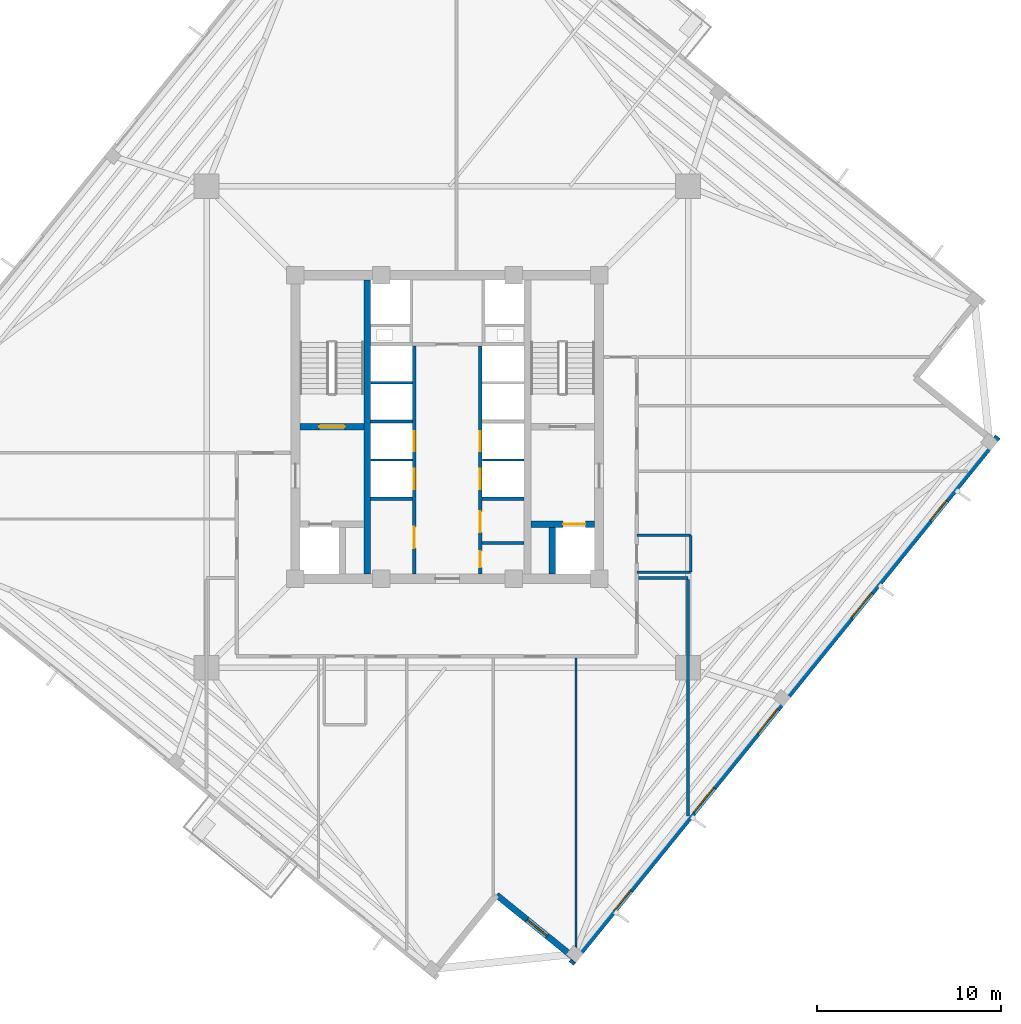
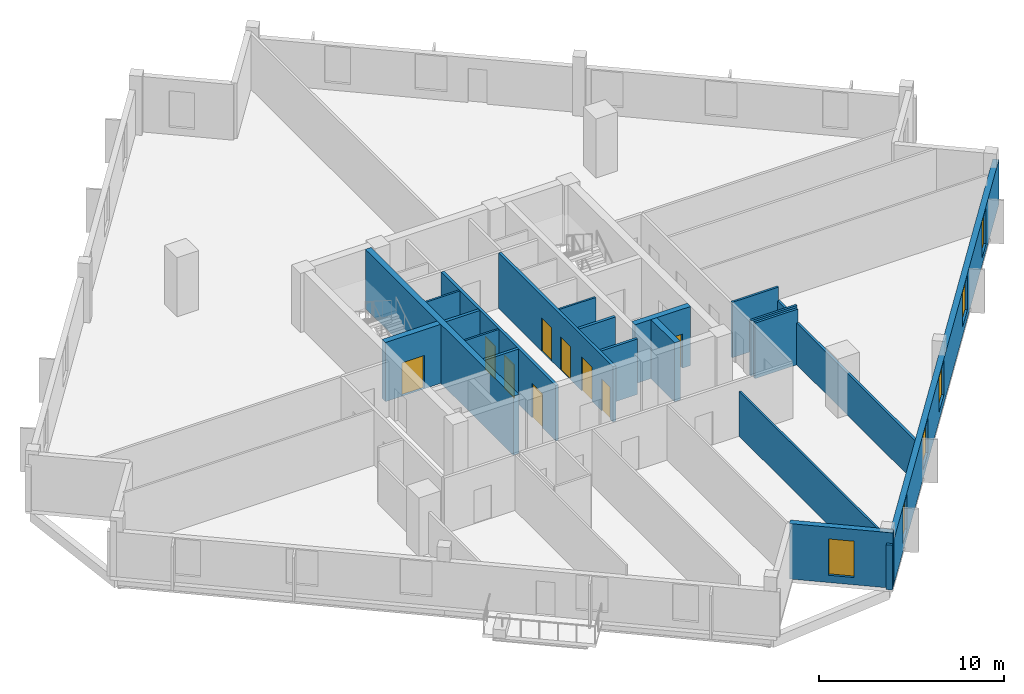
# One storey, part 4 of 10: 21 walls, 9 doors, 6 windows, 15 openings.
"""IFC4 building model written with IfcOpenShell, lengths in metres."""

from ifc_helpers import new_model, si_unit, direction, frame, frame_2d, origin, place, context, subcontext, project, spatial, rectangle, extrude, source, transform, mapped, material, layer, layer_set, type_object, element, fill, save


model = new_model("IFC4")

# Units and contexts
model_context = context("Model", 3, precision=1e-05, world=origin(), true_north=direction((0.0, 1.0)))
body_context = subcontext(model_context, "Body", "Model", "MODEL_VIEW")
ifc_project = project(units=[si_unit("LENGTHUNIT", "METRE"), si_unit("AREAUNIT", "SQUARE_METRE"), si_unit("VOLUMEUNIT", "CUBIC_METRE"), si_unit("PLANEANGLEUNIT", "RADIAN"), si_unit("MASSUNIT", "GRAM", prefix="KILO"), si_unit("THERMODYNAMICTEMPERATUREUNIT", "KELVIN")], contexts=[model_context])

# Site, building, storey
site_placement = place(None, origin())
site = spatial("IfcSite", under=ifc_project, at=site_placement, CompositionType="ELEMENT")
building_placement = place(site_placement, origin())
building = spatial("IfcBuilding", under=site, at=building_placement, Name="Kosmvard Interchange Tower", CompositionType="ELEMENT")
storey_placement = place(building_placement, frame((0.0, 0.0, 205.60009765625)))
storey = spatial("IfcBuildingStorey", under=building, at=storey_placement, Name="L49", CompositionType="ELEMENT", Elevation=205.60009765625)

# Walls
ifc_material_1 = material(Name="Acoustic gypsum partition system")
ifc_layer_1 = layer(ifc_material_1, 0.14990234375, Name="Acoustic gypsum partition system")
ifc_layer_set_1 = layer_set([ifc_layer_1], Name="Acoustic gypsum partition system")
wall_type_1 = type_object("IfcWallType", Name="Acoustic Suite & Meeting Partition 150", PredefinedType="PARTITIONING", material=ifc_layer_set_1)
wall_1_placement = place(storey_placement, frame((10.39501953125, -8.199951171875, 0.0), z_axis=(0.0, 0.0, 1.0), x_axis=(1.0, 0.0, 0.0)))
element("IfcWall", 1, at=wall_1_placement, inside=storey, type_object=wall_type_1, Name="L49 Room Partition 12.1", PredefinedType="PARTITIONING", context=body_context, shape_type="SweptSolid", body=[
    extrude(rectangle(XDim=2.68603515625, YDim=0.14990234375, at=frame_2d((1.343017578125, 0.0))), origin(), (0.0, 0.0, 1.0), 3.659912109375),
])
wall_2_placement = place(storey_placement, frame((13.0810546875, -8.27490234375, 0.0), z_axis=(0.0, 0.0, 1.0), x_axis=(0.0, -1.0, 0.0)))
element("IfcWall", 2, at=wall_2_placement, inside=storey, type_object=wall_type_1, Name="L49 Room Partition 13.1", PredefinedType="PARTITIONING", context=body_context, shape_type="SweptSolid", body=[
    extrude(rectangle(XDim=12.87353515625, YDim=0.14990234375, at=frame_2d((6.436767578125, 0.0))), origin(), (0.0, 0.0, 1.0), 2.760009765625),
])
ifc_material_2 = material(Name="Fire-rated gypsum partition system")
ifc_layer_2 = layer(ifc_material_2, 0.159912109375, Name="Fire-rated gypsum partition system")
ifc_layer_set_2 = layer_set([ifc_layer_2], Name="Fire-rated gypsum partition system")
wall_type_2 = type_object("IfcWallType", Name="Core Compartment & Shuttle Lobby Partition 160", PredefinedType="PARTITIONING", material=ifc_layer_set_2)
wall_3_placement = place(storey_placement, frame((1.889892578125, -6.300048828125, 0.0), z_axis=(0.0, 0.0, 1.0), x_axis=(1.0, 0.0, 0.0)))
element("IfcWall", 3, at=wall_3_placement, inside=storey, type_object=wall_type_2, Name="L49 Reclaimed Split E", PredefinedType="PARTITIONING", context=body_context, shape_type="SweptSolid", body=[
    extrude(rectangle(XDim=2.280029296875, YDim=0.159912109375, at=frame_2d((1.14013671875, 0.0))), origin(), (0.0, 0.0, 1.0), 3.659912109375),
])

# Wall, openings, doors
ifc_layer_3 = layer(ifc_material_2, 0.179931640625, Name="Fire-rated gypsum partition system")
ifc_layer_set_3 = layer_set([ifc_layer_3], Name="Fire-rated gypsum partition system")
wall_type_3 = type_object("IfcWallType", Name="Corridor & Hotel Compartment Partition 180", PredefinedType="PARTITIONING", material=ifc_layer_set_3)
wall_4_placement = place(storey_placement, frame((-1.7900390625, -7.97998046875, 0.0), z_axis=(0.0, 0.0, 1.0), x_axis=(0.0, 1.0, 0.0)))
wall_4 = element("IfcWall", 4, at=wall_4_placement, inside=storey, type_object=wall_type_3, Name="L49 West Lift Bank Front Wall", PredefinedType="PARTITIONING", context=body_context, shape_type="SweptSolid", body=[
    extrude(rectangle(XDim=12.3798828125, YDim=0.179931640625, at=frame_2d((6.18994140625, 0.0))), origin(), (0.0, 0.0, 1.0), 3.659912109375),
])
opening_1_placement = place(wall_4_placement, frame((4.60009765625, 0.0, 0.0)))
opening_1 = element("IfcOpeningElement", 5, at=opening_1_placement, cuts=wall_4, Name="Opening LD-PL-M1-L49", PredefinedType="OPENING", context=body_context, shape_type="SweptSolid", body=[
    extrude(rectangle(XDim=1.10009765625, YDim=2.199951171875, at=frame_2d((0.550048828125, 1.10009765625))), frame((0.0, 0.10009765625, 0.0), z_axis=(0.0, -1.0, 0.0), x_axis=(1.0, 0.0, 0.0)), (0.0, 0.0, 1.0), 0.199951171875),
])
opening_2_placement = place(wall_4_placement, frame((6.659912109375, 0.0, 0.0)))
opening_2 = element("IfcOpeningElement", 6, at=opening_2_placement, cuts=wall_4, Name="Opening LD-PL-M2-L49", PredefinedType="OPENING", context=body_context, shape_type="SweptSolid", body=[
    extrude(rectangle(XDim=1.10009765625, YDim=2.199951171875, at=frame_2d((0.550048828125, 1.10009765625))), frame((0.0, 0.10009765625, 0.0), z_axis=(0.0, -1.0, 0.0), x_axis=(1.0, 0.0, 0.0)), (0.0, 0.0, 1.0), 0.199951171875),
])
opening_3_placement = place(wall_4_placement, frame((1.39990234375, 0.0, 0.0)))
opening_3 = element("IfcOpeningElement", 7, at=opening_3_placement, cuts=wall_4, Name="Opening L49-CD1", PredefinedType="OPENING", context=body_context, shape_type="SweptSolid", body=[
    extrude(rectangle(XDim=1.14990234375, YDim=2.25, at=frame_2d((0.574951171875, 1.125))), frame((0.0, 0.10009765625, 0.0), z_axis=(0.0, -1.0, 0.0), x_axis=(1.0, 0.0, 0.0)), (0.0, 0.0, 1.0), 0.199951171875),
])
ifc_material_3 = material(Name="Painted fire-rated steel leaf", Category="steel")
door_type_1 = type_object("IfcDoorType", Name="Plant & Riser Fire Door 1150x2250 EI60", OperationType="NOTDEFINED", PredefinedType="DOOR", material=ifc_material_3)
shared_shape_1 = source(origin(), body_context, "Body", "SweptSolid", [
    extrude(rectangle(XDim=1.14990234375, YDim=2.25, at=frame_2d((0.574951171875, 1.125))), frame((0.0, 0.02490234375, 0.0), z_axis=(0.0, -1.0, 0.0), x_axis=(1.0, 0.0, 0.0)), (0.0, 0.0, 1.0), 0.050048828125),
])
door_1_placement = place(opening_3_placement, origin())
door_1 = element("IfcDoor", 8, at=door_1_placement, inside=storey, type_object=door_type_1, Name="L49 Core Server Door", OperationType="SINGLE_SWING_LEFT", OverallHeight=2.25, OverallWidth=1.14990234375, PredefinedType="DOOR", context=body_context, shape_type="MappedRepresentation", body=[
    mapped(shared_shape_1, transform((0.0, 0.0, 0.0), scale=1.0)),
])
fill(opening_3, door_1)
ifc_material_4 = material(Name="Brushed stainless steel sliding leaf", Category="steel")
door_type_2 = type_object("IfcDoorType", Name="Passenger Lift Sliding Landing Door 1100x2200 EI60", OperationType="DOUBLE_DOOR_SLIDING", PredefinedType="DOOR", material=ifc_material_4)
shared_shape_2 = source(origin(), body_context, "Body", "SweptSolid", [
    extrude(rectangle(XDim=1.10009765625, YDim=2.199951171875, at=frame_2d((0.550048828125, 1.10009765625))), frame((0.0, 0.02490234375, 0.0), z_axis=(0.0, -1.0, 0.0), x_axis=(1.0, 0.0, 0.0)), (0.0, 0.0, 1.0), 0.050048828125),
])
door_2_placement = place(opening_1_placement, frame((1.10009765625, 0.0, 0.0), z_axis=(0.0, 0.0, 1.0), x_axis=(-1.0, 0.0, 0.0)))
door_2 = element("IfcDoor", 9, at=door_2_placement, inside=storey, type_object=door_type_2, Name="Lift PL-M1 Landing Door L49", OperationType="DOUBLE_DOOR_SLIDING", OverallHeight=2.199951171875, OverallWidth=1.10009765625, PredefinedType="DOOR", context=body_context, shape_type="MappedRepresentation", body=[
    mapped(shared_shape_2, transform((0.0, 0.0, 0.0), scale=1.0)),
])
fill(opening_1, door_2)
door_3_placement = place(opening_2_placement, frame((1.10009765625, 0.0, 0.0), z_axis=(0.0, 0.0, 1.0), x_axis=(-1.0, 0.0, 0.0)))
door_3 = element("IfcDoor", 10, at=door_3_placement, inside=storey, type_object=door_type_2, Name="Lift PL-M2 Landing Door L49", OperationType="DOUBLE_DOOR_SLIDING", OverallHeight=2.199951171875, OverallWidth=1.10009765625, PredefinedType="DOOR", context=body_context, shape_type="MappedRepresentation", body=[
    mapped(shared_shape_2, transform((0.0, 0.0, 0.0), scale=1.0)),
])
fill(opening_2, door_3)

wall_5_placement = place(storey_placement, frame((1.7900390625, -7.97998046875, 0.0), z_axis=(0.0, 0.0, 1.0), x_axis=(0.0, 1.0, 0.0)))
wall_5 = element("IfcWall", 11, at=wall_5_placement, inside=storey, type_object=wall_type_3, Name="L49 East Lift Bank Front Wall", PredefinedType="PARTITIONING", context=body_context, shape_type="SweptSolid", body=[
    extrude(rectangle(XDim=12.3798828125, YDim=0.179931640625, at=frame_2d((6.18994140625, 0.0))), origin(), (0.0, 0.0, 1.0), 3.659912109375),
])
opening_4_placement = place(wall_5_placement, frame((4.60009765625, 0.0, 0.0)))
opening_4 = element("IfcOpeningElement", 12, at=opening_4_placement, cuts=wall_5, Name="Opening LD-PL-M3-L49", PredefinedType="OPENING", context=body_context, shape_type="SweptSolid", body=[
    extrude(rectangle(XDim=1.10009765625, YDim=2.199951171875, at=frame_2d((0.550048828125, 1.10009765625))), frame((0.0, 0.10009765625, 0.0), z_axis=(0.0, -1.0, 0.0), x_axis=(1.0, 0.0, 0.0)), (0.0, 0.0, 1.0), 0.199951171875),
])
opening_5_placement = place(wall_5_placement, frame((6.659912109375, 0.0, 0.0)))
opening_5 = element("IfcOpeningElement", 13, at=opening_5_placement, cuts=wall_5, Name="Opening LD-PL-M4-L49", PredefinedType="OPENING", context=body_context, shape_type="SweptSolid", body=[
    extrude(rectangle(XDim=1.10009765625, YDim=2.199951171875, at=frame_2d((0.550048828125, 1.10009765625))), frame((0.0, 0.10009765625, 0.0), z_axis=(0.0, -1.0, 0.0), x_axis=(1.0, 0.0, 0.0)), (0.0, 0.0, 1.0), 0.199951171875),
])
opening_6_placement = place(wall_5_placement, frame((0.35009765625, 0.0, 0.0)))
opening_6 = element("IfcOpeningElement", 14, at=opening_6_placement, cuts=wall_5, Name="Opening L49-CD2", PredefinedType="OPENING", context=body_context, shape_type="SweptSolid", body=[
    extrude(rectangle(XDim=0.8798828125, YDim=2.10009765625, at=frame_2d((0.43994140625, 1.050048828125))), frame((0.0, 0.10009765625, 0.0), z_axis=(0.0, -1.0, 0.0), x_axis=(1.0, 0.0, 0.0)), (0.0, 0.0, 1.0), 0.199951171875),
])
opening_7_placement = place(wall_5_placement, frame((2.25, 0.0, 0.0)))
opening_7 = element("IfcOpeningElement", 15, at=opening_7_placement, cuts=wall_5, Name="Opening L49-CD3", PredefinedType="OPENING", context=body_context, shape_type="SweptSolid", body=[
    extrude(rectangle(XDim=1.14990234375, YDim=2.25, at=frame_2d((0.574951171875, 1.125))), frame((0.0, 0.10009765625, 0.0), z_axis=(0.0, -1.0, 0.0), x_axis=(1.0, 0.0, 0.0)), (0.0, 0.0, 1.0), 0.199951171875),
])
door_4_placement = place(opening_7_placement, frame((1.14990234375, 0.0, 0.0), z_axis=(0.0, 0.0, 1.0), x_axis=(-1.0, 0.0, 0.0)))
door_4 = element("IfcDoor", 16, at=door_4_placement, inside=storey, type_object=door_type_1, Name="L49 Core Pantry Door", OperationType="SINGLE_SWING_LEFT", OverallHeight=2.25, OverallWidth=1.14990234375, PredefinedType="DOOR", context=body_context, shape_type="MappedRepresentation", body=[
    mapped(shared_shape_1, transform((0.0, 0.0, 0.0), scale=1.0)),
])
fill(opening_7, door_4)
door_5_placement = place(opening_4_placement, origin())
door_5 = element("IfcDoor", 17, at=door_5_placement, inside=storey, type_object=door_type_2, Name="Lift PL-M3 Landing Door L49", OperationType="DOUBLE_DOOR_SLIDING", OverallHeight=2.199951171875, OverallWidth=1.10009765625, PredefinedType="DOOR", context=body_context, shape_type="MappedRepresentation", body=[
    mapped(shared_shape_2, transform((0.0, 0.0, 0.0), scale=1.0)),
])
fill(opening_4, door_5)
door_6_placement = place(opening_5_placement, origin())
door_6 = element("IfcDoor", 18, at=door_6_placement, inside=storey, type_object=door_type_2, Name="Lift PL-M4 Landing Door L49", OperationType="DOUBLE_DOOR_SLIDING", OverallHeight=2.199951171875, OverallWidth=1.10009765625, PredefinedType="DOOR", context=body_context, shape_type="MappedRepresentation", body=[
    mapped(shared_shape_2, transform((0.0, 0.0, 0.0), scale=1.0)),
])
fill(opening_5, door_6)
ifc_material_5 = material(Name="Painted fire-rated timber leaf", Category="wood")
door_type_3 = type_object("IfcDoorType", Name="Core Cupboard Fire Door 880x2100 EI30", OperationType="NOTDEFINED", PredefinedType="DOOR", material=ifc_material_5)
shared_shape_3 = source(origin(), body_context, "Body", "SweptSolid", [
    extrude(rectangle(XDim=0.8798828125, YDim=2.10009765625, at=frame_2d((0.43994140625, 1.050048828125))), frame((0.0, 0.02490234375, 0.0), z_axis=(0.0, -1.0, 0.0), x_axis=(1.0, 0.0, 0.0)), (0.0, 0.0, 1.0), 0.050048828125),
])
door_7_placement = place(opening_6_placement, frame((0.8798828125, 0.0, 0.0), z_axis=(0.0, 0.0, 1.0), x_axis=(-1.0, 0.0, 0.0)))
door_7 = element("IfcDoor", 19, at=door_7_placement, inside=storey, type_object=door_type_3, Name="L49 Core Cleaner Door", OperationType="SINGLE_SWING_RIGHT", OverallHeight=2.10009765625, OverallWidth=0.8798828125, PredefinedType="DOOR", context=body_context, shape_type="MappedRepresentation", body=[
    mapped(shared_shape_3, transform((0.0, 0.0, 0.0), scale=1.0)),
])
fill(opening_6, door_7)

# Wall, openings, windows
ifc_material_6 = material(Name="Precast concrete C45/55", Category="concrete")
ifc_layer_4 = layer(ifc_material_6, 0.340087890625, Name="Precast concrete C45/55")
ifc_layer_set_4 = layer_set([ifc_layer_4], Name="Precast concrete C45/55")
wall_type_4 = type_object("IfcWallType", Name="Mid Tower Precast Pier Wall 340 C45/55", PredefinedType="STANDARD", material=ifc_layer_set_4)
wall_6_placement = place(storey_placement, frame((6.73291015625, -29.154296875, 0.0), z_axis=(0.0, 0.0, 1.0), x_axis=(0.629325378072, 0.77714192302, 0.0)))
wall_6 = element("IfcWall", 20, at=wall_6_placement, inside=storey, type_object=wall_type_4, Name="L49 Precast Facade Wall F-S", PredefinedType="STANDARD", context=body_context, shape_type="SweptSolid", body=[
    extrude(rectangle(XDim=36.840087890625, YDim=0.340087890625, at=frame_2d((18.419921875, 0.0))), origin(), (0.0, 0.0, 1.0), 2.9599609375),
])
opening_8_placement = place(wall_6_placement, frame((3.720703125, 0.0, 0.47998046875)))
opening_8 = element("IfcOpeningElement", 21, at=opening_8_placement, cuts=wall_6, Name="Opening L49-W01", PredefinedType="OPENING", context=body_context, shape_type="SweptSolid", body=[
    extrude(rectangle(XDim=1.39990234375, YDim=2.39990234375, at=frame_2d((0.699951171875, 1.199951171875))), frame((0.0, 0.18017578125, 0.0), z_axis=(0.0, -1.0, 0.0), x_axis=(1.0, 0.0, 0.0)), (0.0, 0.0, 1.0), 0.360107421875),
])
opening_9_placement = place(wall_6_placement, frame((10.55859375, 0.0, 0.580078125)))
opening_9 = element("IfcOpeningElement", 22, at=opening_9_placement, cuts=wall_6, Name="Opening L49-W02", PredefinedType="OPENING", context=body_context, shape_type="SweptSolid", body=[
    extrude(rectangle(XDim=1.75, YDim=2.300048828125, at=frame_2d((0.875, 1.14990234375))), frame((0.0, 0.18017578125, 0.0), z_axis=(0.0, -1.0, 0.0), x_axis=(1.0, 0.0, 0.0)), (0.0, 0.0, 1.0), 0.360107421875),
])
opening_10_placement = place(wall_6_placement, frame((16.05810546875, 0.0, 0.580078125)))
opening_10 = element("IfcOpeningElement", 23, at=opening_10_placement, cuts=wall_6, Name="Opening L49-W03", PredefinedType="OPENING", context=body_context, shape_type="SweptSolid", body=[
    extrude(rectangle(XDim=1.75, YDim=2.300048828125, at=frame_2d((0.875, 1.14990234375))), frame((0.0, 0.18017578125, 0.0), z_axis=(0.0, -1.0, 0.0), x_axis=(1.0, 0.0, 0.0)), (0.0, 0.0, 1.0), 0.360107421875),
])
opening_11_placement = place(wall_6_placement, frame((24.17626953125, 0.0, 0.580078125)))
opening_11 = element("IfcOpeningElement", 24, at=opening_11_placement, cuts=wall_6, Name="Opening L49-W04", PredefinedType="OPENING", context=body_context, shape_type="SweptSolid", body=[
    extrude(rectangle(XDim=1.75, YDim=2.300048828125, at=frame_2d((0.875, 1.14990234375))), frame((0.0, 0.18017578125, 0.0), z_axis=(0.0, -1.0, 0.0), x_axis=(1.0, 0.0, 0.0)), (0.0, 0.0, 1.0), 0.360107421875),
])
opening_12_placement = place(wall_6_placement, frame((30.982421875, 0.0, 0.47998046875)))
opening_12 = element("IfcOpeningElement", 25, at=opening_12_placement, cuts=wall_6, Name="Opening L49-W05", PredefinedType="OPENING", context=body_context, shape_type="SweptSolid", body=[
    extrude(rectangle(XDim=1.39990234375, YDim=2.39990234375, at=frame_2d((0.699951171875, 1.199951171875))), frame((0.0, 0.18017578125, 0.0), z_axis=(0.0, -1.0, 0.0), x_axis=(1.0, 0.0, 0.0)), (0.0, 0.0, 1.0), 0.360107421875),
])
ifc_material_7 = material(Name="Low-E solar-control double glazing", Category="glass")
window_type_1 = type_object("IfcWindowType", Name="Notched Corner Feature Window 1400x2400", PartitioningType="SINGLE_PANEL", PredefinedType="WINDOW", material=ifc_material_7)
shared_shape_4 = source(origin(), body_context, "Body", "SweptSolid", [
    extrude(rectangle(XDim=1.39990234375, YDim=2.39990234375, at=frame_2d((0.699951171875, 1.199951171875))), frame((0.0, 0.030029296875, 0.0), z_axis=(0.0, -1.0, 0.0), x_axis=(1.0, 0.0, 0.0)), (0.0, 0.0, 1.0), 0.06005859375),
])
window_1_placement = place(opening_8_placement, origin())
window_1 = element("IfcWindow", 26, at=window_1_placement, inside=storey, type_object=window_type_1, Name="L49 Facade Punched Window 01", OverallHeight=2.39990234375, OverallWidth=1.39990234375, PartitioningType="SINGLE_PANEL", PredefinedType="WINDOW", context=body_context, shape_type="MappedRepresentation", body=[
    mapped(shared_shape_4, transform((0.0, 0.0, 0.0), scale=1.0)),
])
fill(opening_8, window_1)
window_2_placement = place(opening_12_placement, origin())
window_2 = element("IfcWindow", 27, at=window_2_placement, inside=storey, type_object=window_type_1, Name="L49 Facade Punched Window 05", OverallHeight=2.39990234375, OverallWidth=1.39990234375, PartitioningType="SINGLE_PANEL", PredefinedType="WINDOW", context=body_context, shape_type="MappedRepresentation", body=[
    mapped(shared_shape_4, transform((0.0, 0.0, 0.0), scale=1.0)),
])
fill(opening_12, window_2)
window_type_2 = type_object("IfcWindowType", Name="Zone 4 Suite Punched Window 1750x2300", PartitioningType="SINGLE_PANEL", PredefinedType="WINDOW", material=ifc_material_7)
shared_shape_5 = source(origin(), body_context, "Body", "SweptSolid", [
    extrude(rectangle(XDim=1.75, YDim=2.300048828125, at=frame_2d((0.875, 1.14990234375))), frame((0.0, 0.030029296875, 0.0), z_axis=(0.0, -1.0, 0.0), x_axis=(1.0, 0.0, 0.0)), (0.0, 0.0, 1.0), 0.06005859375),
])
window_3_placement = place(opening_9_placement, origin())
window_3 = element("IfcWindow", 28, at=window_3_placement, inside=storey, type_object=window_type_2, Name="L49 Facade Punched Window 02", OverallHeight=2.300048828125, OverallWidth=1.75, PartitioningType="SINGLE_PANEL", PredefinedType="WINDOW", context=body_context, shape_type="MappedRepresentation", body=[
    mapped(shared_shape_5, transform((0.0, 0.0, 0.0), scale=1.0)),
])
fill(opening_9, window_3)
window_4_placement = place(opening_10_placement, origin())
window_4 = element("IfcWindow", 29, at=window_4_placement, inside=storey, type_object=window_type_2, Name="L49 Facade Punched Window 03", OverallHeight=2.300048828125, OverallWidth=1.75, PartitioningType="SINGLE_PANEL", PredefinedType="WINDOW", context=body_context, shape_type="MappedRepresentation", body=[
    mapped(shared_shape_5, transform((0.0, 0.0, 0.0), scale=1.0)),
])
fill(opening_10, window_4)
window_5_placement = place(opening_11_placement, origin())
window_5 = element("IfcWindow", 30, at=window_5_placement, inside=storey, type_object=window_type_2, Name="L49 Facade Punched Window 04", OverallHeight=2.300048828125, OverallWidth=1.75, PartitioningType="SINGLE_PANEL", PredefinedType="WINDOW", context=body_context, shape_type="MappedRepresentation", body=[
    mapped(shared_shape_5, transform((0.0, 0.0, 0.0), scale=1.0)),
])
fill(opening_11, window_5)

# Wall, opening, window
wall_7_placement = place(storey_placement, frame((2.672607421875, -25.428955078125, 0.0), z_axis=(0.0, 0.0, 1.0), x_axis=(0.777162640055, -0.629299794138, 0.0)))
wall_7 = element("IfcWall", 31, at=wall_7_placement, inside=storey, type_object=wall_type_4, Name="L49 Precast Facade Wall N-SW2", PredefinedType="STANDARD", context=body_context, shape_type="SweptSolid", body=[
    extrude(rectangle(XDim=5.669921875, YDim=0.340087890625, at=frame_2d((2.8349609375, 0.0))), origin(), (0.0, 0.0, 1.0), 3.659912109375),
])
opening_13_placement = place(wall_7_placement, frame((2.135009765625, 0.0, 0.47998046875)))
opening_13 = element("IfcOpeningElement", 32, at=opening_13_placement, cuts=wall_7, Name="Opening L49-W23", PredefinedType="OPENING", context=body_context, shape_type="SweptSolid", body=[
    extrude(rectangle(XDim=1.39990234375, YDim=2.39990234375, at=frame_2d((0.699951171875, 1.199951171875))), frame((0.0, 0.18017578125, 0.0), z_axis=(0.0, -1.0, 0.0), x_axis=(1.0, 0.0, 0.0)), (0.0, 0.0, 1.0), 0.360107421875),
])
window_6_placement = place(opening_13_placement, origin())
window_6 = element("IfcWindow", 33, at=window_6_placement, inside=storey, type_object=window_type_1, Name="L49 Corner Notch Window 23", OverallHeight=2.39990234375, OverallWidth=1.39990234375, PartitioningType="SINGLE_PANEL", PredefinedType="WINDOW", context=body_context, shape_type="MappedRepresentation", body=[
    mapped(shared_shape_4, transform((0.0, 0.0, 0.0), scale=1.0)),
])
fill(opening_13, window_6)

# Walls
ifc_material_8 = material(Name="Gypsum board partition system")
ifc_layer_5 = layer(ifc_material_8, 0.1201171875, Name="Gypsum board partition system")
ifc_layer_set_5 = layer_set([ifc_layer_5], Name="Gypsum board partition system")
wall_type_5 = type_object("IfcWallType", Name="Office Cellular Partition 120", PredefinedType="PARTITIONING", material=ifc_layer_set_5)
wall_8_placement = place(storey_placement, frame((7.0, -28.657958984375, 0.0), z_axis=(0.0, 0.0, 1.0), x_axis=(0.0, 1.0, 0.0)))
element("IfcWall", 34, at=wall_8_placement, inside=storey, type_object=wall_type_5, Name="L49 Room Partition 11.1", PredefinedType="PARTITIONING", context=body_context, shape_type="SweptSolid", body=[
    extrude(rectangle(XDim=16.113037109375, YDim=0.1201171875, at=frame_2d((8.056640625, 0.0))), origin(), (0.0, 0.0, 1.0), 2.9599609375),
])
ifc_material_9 = material(Name="Concrete blockwork masonry", Category="masonry")
ifc_layer_6 = layer(ifc_material_9, 0.179931640625, Name="Concrete blockwork masonry")
ifc_layer_set_6 = layer_set([ifc_layer_6], Name="Concrete blockwork masonry")
wall_type_6 = type_object("IfcWallType", Name="Riser & Lift Bank Divider Wall 180", PredefinedType="PARTITIONING", material=ifc_layer_set_6)
for number, where, z_axis, x_axis, name in (
    (35, (-4.169921875, -3.89990234375, 0.0), (0.0, 0.0, 1.0), (1.0, 0.0, 0.0), "L49 West Bank Divider BD1"),
    (36, (1.889892578125, -3.89990234375, 0.0), (0.0, 0.0, 1.0), (1.0, 0.0, 0.0), "L49 East Bank Divider BD1"),
    (37, (-4.169921875, 0.300048828125, 0.0), (0.0, 0.0, 1.0), (1.0, 0.0, 0.0), "L49 West Bank Divider BD2"),
):
    element("IfcWall", number, at=place(storey_placement, frame(where, z_axis=z_axis, x_axis=x_axis)), inside=storey, type_object=wall_type_6, Name=name, PredefinedType="PARTITIONING", context=body_context, shape_type="SweptSolid", body=[
        extrude(rectangle(XDim=2.280029296875, YDim=0.179931640625, at=frame_2d((1.14013671875, 0.0))), origin(), (0.0, 0.0, 1.0), 3.659912109375),
    ])
ifc_material_10 = material(Name="Fire-rated gypsum shaftwall system")
ifc_layer_7 = layer(ifc_material_10, 0.1201171875, Name="Fire-rated gypsum shaftwall system")
ifc_layer_set_7 = layer_set([ifc_layer_7], Name="Fire-rated gypsum shaftwall system")
wall_type_7 = type_object("IfcWallType", Name="Shaft & Riser Fire Partition 120 EI60", PredefinedType="PARTITIONING", material=ifc_layer_set_7)
for number, where, z_axis, x_axis, name in (
    (38, (-4.159912109375, -1.800048828125, 0.0), (0.0, 0.0, 1.0), (1.0, 0.0, 0.0), "L49 Shaft Divider PL-M1"),
    (39, (1.89990234375, -1.800048828125, 0.0), (0.0, 0.0, 1.0), (1.0, 0.0, 0.0), "L49 Shaft Divider PL-M3"),
    (40, (-4.159912109375, 2.39990234375, 0.0), (0.0, 0.0, 1.0), (1.0, 0.0, 0.0), "L49 Shaft Divider PL-H1"),
):
    element("IfcWall", number, at=place(storey_placement, frame(where, z_axis=z_axis, x_axis=x_axis)), inside=storey, type_object=wall_type_7, Name=name, PredefinedType="PARTITIONING", context=body_context, shape_type="SweptSolid", body=[
        extrude(rectangle(XDim=2.260009765625, YDim=0.1201171875, at=frame_2d((1.1298828125, 0.0))), origin(), (0.0, 0.0, 1.0), 3.659912109375),
    ])
ifc_material_11 = material(Name="Concrete C60/75", Category="concrete")
ifc_layer_8 = layer(ifc_material_11, 0.360107421875, Name="Concrete C60/75")
ifc_layer_set_8 = layer_set([ifc_layer_8], Name="Concrete C60/75")
wall_type_8 = type_object("IfcWallType", Name="Stair & Lift Shaft Shear Wall 360 C60/75", PredefinedType="SHEAR", material=ifc_layer_set_8)
wall_9_placement = place(storey_placement, frame((-4.360107421875, -8.0, 0.0), z_axis=(0.0, 0.0, 1.0), x_axis=(0.0, 1.0, 0.0)))
element("IfcWall", 41, at=wall_9_placement, inside=storey, type_object=wall_type_8, Name="L49 Shaft Shear Wall SW-W", PredefinedType="SHEAR", context=body_context, shape_type="SweptSolid", body=[
    extrude(rectangle(XDim=16.0, YDim=0.360107421875, at=frame_2d((8.0, 0.0))), origin(), (0.0, 0.0, 1.0), 3.89990234375),
])

# Wall, opening, door
wall_10_placement = place(storey_placement, frame((-8.0, 0.02001953125, 0.0), z_axis=(0.0, 0.0, 1.0), x_axis=(1.0, 0.0, 0.0)))
wall_10 = element("IfcWall", 42, at=wall_10_placement, inside=storey, type_object=wall_type_8, Name="L49 Shaft Shear Wall SW-ST1", PredefinedType="SHEAR", context=body_context, shape_type="SweptSolid", body=[
    extrude(rectangle(XDim=3.4599609375, YDim=0.360107421875, at=frame_2d((1.72998046875, 0.0))), origin(), (0.0, 0.0, 1.0), 3.89990234375),
])
opening_14_placement = place(wall_10_placement, frame((1.030029296875, 0.0, 0.0)))
opening_14 = element("IfcOpeningElement", 43, at=opening_14_placement, cuts=wall_10, Name="Opening L49-SD1", PredefinedType="OPENING", context=body_context, shape_type="SweptSolid", body=[
    extrude(rectangle(XDim=1.39990234375, YDim=2.199951171875, at=frame_2d((0.699951171875, 1.10009765625))), frame((0.0, 0.18994140625, 0.0), z_axis=(0.0, -1.0, 0.0), x_axis=(1.0, 0.0, 0.0)), (0.0, 0.0, 1.0), 0.380126953125),
])
door_type_4 = type_object("IfcDoorType", Name="Protected Stair Door 1400x2200 FD60S", OperationType="NOTDEFINED", PredefinedType="DOOR", material=ifc_material_3)
shared_shape_6 = source(origin(), body_context, "Body", "SweptSolid", [
    extrude(rectangle(XDim=1.39990234375, YDim=2.199951171875, at=frame_2d((0.699951171875, 1.10009765625))), frame((0.0, 0.02490234375, 0.0), z_axis=(0.0, -1.0, 0.0), x_axis=(1.0, 0.0, 0.0)), (0.0, 0.0, 1.0), 0.050048828125),
])
door_8_placement = place(opening_14_placement, origin())
door_8 = element("IfcDoor", 44, at=door_8_placement, inside=storey, type_object=door_type_4, Name="L49 Stair ST-1 Enclosure Door", OperationType="SINGLE_SWING_LEFT", OverallHeight=2.199951171875, OverallWidth=1.39990234375, PredefinedType="DOOR", context=body_context, shape_type="MappedRepresentation", body=[
    mapped(shared_shape_6, transform((0.0, 0.0, 0.0), scale=1.0)),
])
fill(opening_14, door_8)

wall_11_placement = place(storey_placement, frame((4.5400390625, -5.280029296875, 0.0), z_axis=(0.0, 0.0, 1.0), x_axis=(1.0, 0.0, 0.0)))
wall_11 = element("IfcWall", 45, at=wall_11_placement, inside=storey, type_object=wall_type_8, Name="L49 Shaft Shear Wall SW-FF2", PredefinedType="SHEAR", context=body_context, shape_type="SweptSolid", body=[
    extrude(rectangle(XDim=3.4599609375, YDim=0.360107421875, at=frame_2d((1.72998046875, 0.0))), origin(), (0.0, 0.0, 1.0), 3.89990234375),
])
opening_15_placement = place(wall_11_placement, frame((1.760009765625, 0.0, 0.0)))
opening_15 = element("IfcOpeningElement", 46, at=opening_15_placement, cuts=wall_11, Name="Opening LD-FF-2-L49", PredefinedType="OPENING", context=body_context, shape_type="SweptSolid", body=[
    extrude(rectangle(XDim=1.199951171875, YDim=2.25, at=frame_2d((0.60009765625, 1.125))), frame((0.0, 0.18994140625, 0.0), z_axis=(0.0, -1.0, 0.0), x_axis=(1.0, 0.0, 0.0)), (0.0, 0.0, 1.0), 0.380126953125),
])
door_type_5 = type_object("IfcDoorType", Name="Firefighting Lift Sliding Landing Door 1200x2250 EI120", OperationType="DOUBLE_DOOR_SLIDING", PredefinedType="DOOR", material=ifc_material_4)
shared_shape_7 = source(origin(), body_context, "Body", "SweptSolid", [
    extrude(rectangle(XDim=1.199951171875, YDim=2.25, at=frame_2d((0.60009765625, 1.125))), frame((0.0, 0.02490234375, 0.0), z_axis=(0.0, -1.0, 0.0), x_axis=(1.0, 0.0, 0.0)), (0.0, 0.0, 1.0), 0.050048828125),
])
door_9_placement = place(opening_15_placement, origin())
door_9 = element("IfcDoor", 47, at=door_9_placement, inside=storey, type_object=door_type_5, Name="Lift FF-2 Landing Door L49", OperationType="DOUBLE_DOOR_SLIDING", OverallHeight=2.25, OverallWidth=1.199951171875, PredefinedType="DOOR", context=body_context, shape_type="MappedRepresentation", body=[
    mapped(shared_shape_7, transform((0.0, 0.0, 0.0), scale=1.0)),
])
fill(opening_15, door_9)

# Walls
wall_12_placement = place(storey_placement, frame((5.7099609375, -8.0, 0.0), z_axis=(0.0, 0.0, 1.0), x_axis=(0.0, 1.0, 0.0)))
element("IfcWall", 48, at=wall_12_placement, inside=storey, type_object=wall_type_8, Name="L49 Shaft Shear Wall SW-SM2", PredefinedType="SHEAR", context=body_context, shape_type="SweptSolid", body=[
    extrude(rectangle(XDim=2.5400390625, YDim=0.360107421875, at=frame_2d((1.27001953125, 0.0))), origin(), (0.0, 0.0, 1.0), 3.89990234375),
])
ifc_material_12 = material(Name="Moisture-resistant gypsum partition")
ifc_layer_9 = layer(ifc_material_12, 0.135009765625, Name="Moisture-resistant gypsum partition")
ifc_layer_set_9 = layer_set([ifc_layer_9], Name="Moisture-resistant gypsum partition")
wall_type_9 = type_object("IfcWallType", Name="Wet Room Moisture-Resistant Partition 135", PredefinedType="PARTITIONING", material=ifc_layer_set_9)
wall_13_placement = place(storey_placement, frame((10.320068359375, -7.888916015625, 0.0), z_axis=(0.0, 0.0, 1.0), x_axis=(1.0, 0.0, 0.0)))
element("IfcWall", 49, at=wall_13_placement, inside=storey, type_object=wall_type_9, Name="L49 Washroom Partition AWC1-S", PredefinedType="PARTITIONING", context=body_context, shape_type="SweptSolid", body=[
    extrude(rectangle(XDim=2.89990234375, YDim=0.135009765625, at=frame_2d((1.449951171875, 0.0))), origin(), (0.0, 0.0, 1.0), 3.659912109375),
])
wall_14_placement = place(storey_placement, frame((13.219970703125, -7.888916015625, 0.0), z_axis=(0.0, 0.0, 1.0), x_axis=(0.0, 1.0, 0.0)))
element("IfcWall", 50, at=wall_14_placement, inside=storey, type_object=wall_type_9, Name="L49 Washroom Partition AWC1-E", PredefinedType="PARTITIONING", context=body_context, shape_type="SweptSolid", body=[
    extrude(rectangle(XDim=2.0, YDim=0.135009765625, at=frame_2d((1.0, 0.0))), origin(), (0.0, 0.0, 1.0), 2.760009765625),
])
wall_15_placement = place(storey_placement, frame((10.320068359375, -5.888916015625, 0.0), z_axis=(0.0, 0.0, 1.0), x_axis=(1.0, 0.0, 0.0)))
element("IfcWall", 51, at=wall_15_placement, inside=storey, type_object=wall_type_9, Name="L49 Washroom Partition AWC1-N", PredefinedType="PARTITIONING", context=body_context, shape_type="SweptSolid", body=[
    extrude(rectangle(XDim=2.89990234375, YDim=0.135009765625, at=frame_2d((1.449951171875, 0.0))), origin(), (0.0, 0.0, 1.0), 3.659912109375),
])

save(model, "model.ifc")
